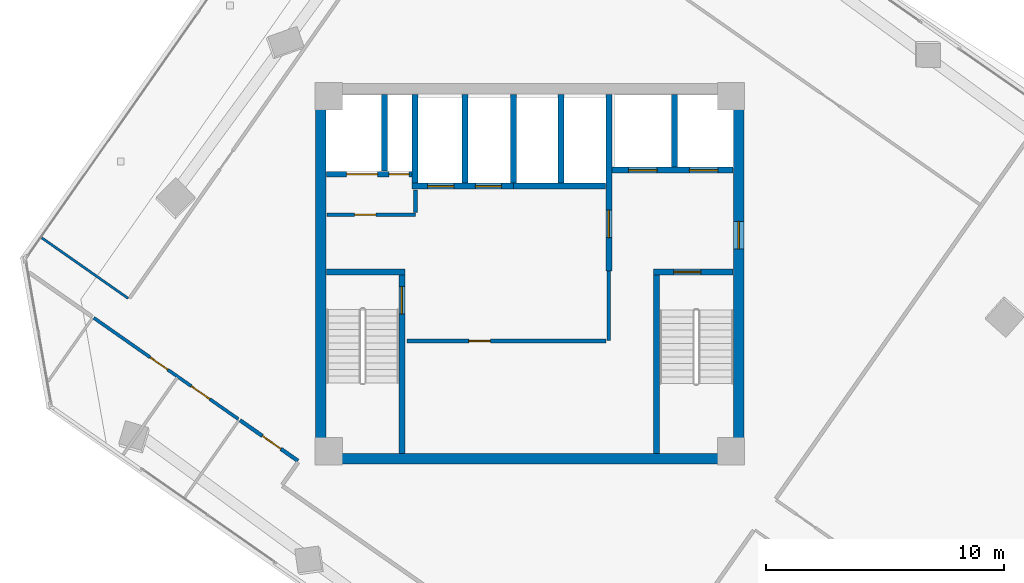
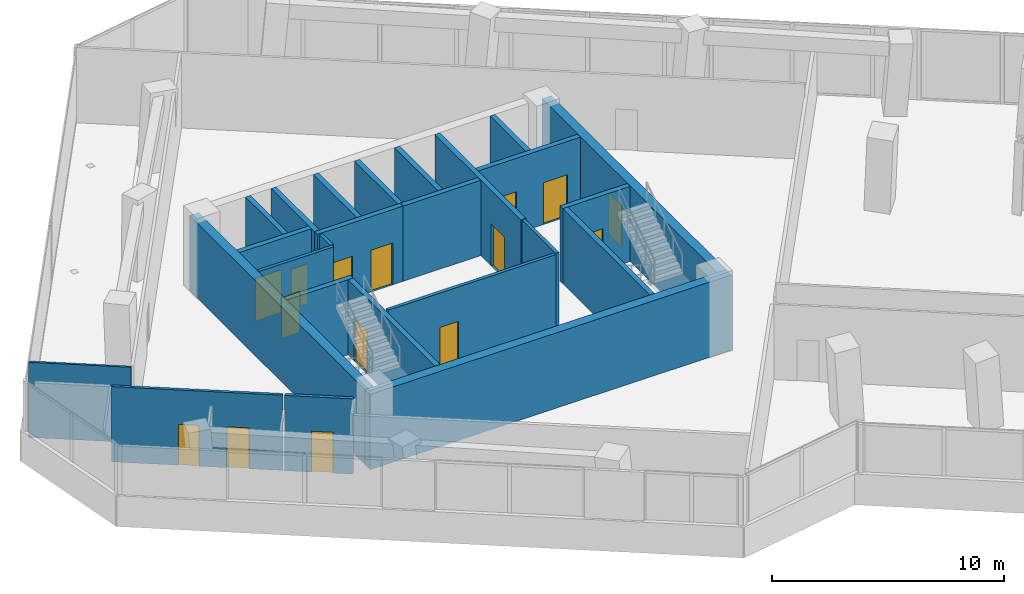
# One storey, part 18 of 22: 25 walls, 15 doors, 15 openings.
"""IFC4 building model written with IfcOpenShell, lengths in metres."""

from ifc_helpers import new_model, si_unit, direction, frame, frame_2d, origin, place, context, subcontext, project, spatial, rectangle, extrude, source, transform, mapped, material, layer, layer_set, type_object, element, fill, save


model = new_model("IFC4")

# Units and contexts
model_context = context("Model", 3, precision=1e-05, world=origin(), true_north=direction((0.0, 1.0)))
body_context = subcontext(model_context, "Body", "Model", "MODEL_VIEW")
ifc_project = project(units=[si_unit("LENGTHUNIT", "METRE"), si_unit("AREAUNIT", "SQUARE_METRE"), si_unit("VOLUMEUNIT", "CUBIC_METRE"), si_unit("PLANEANGLEUNIT", "RADIAN"), si_unit("MASSUNIT", "GRAM", prefix="KILO")], contexts=[model_context])

# Site, building, storey
site_placement = place(None, origin())
site = spatial("IfcSite", under=ifc_project, at=site_placement, CompositionType="ELEMENT")
building_placement = place(site_placement, origin())
building = spatial("IfcBuilding", under=site, at=building_placement, Name="Torre Montelarca", CompositionType="ELEMENT")
storey_placement = place(building_placement, frame((0.0, 0.0, 196.0)))
storey = spatial("IfcBuildingStorey", under=building, at=storey_placement, Name="L44", CompositionType="ELEMENT", Elevation=196.0)

# Wall, opening, door
ifc_material_1 = material(Name="Concrete C40/50", Category="concrete")
ifc_layer_1 = layer(ifc_material_1, 0.25, Name="Concrete C40/50", Category="concrete")
ifc_layer_set_1 = layer_set([ifc_layer_1], Name="Concrete C40/50")
wall_type_1 = type_object("IfcWallType", Name="CW-SHAFT-250", PredefinedType="SHEAR", material=ifc_layer_set_1)
wall_1_placement = place(storey_placement, frame((12.625, 24.4599609375, 0.0), z_axis=(0.0, 0.0, 1.0), x_axis=(0.0, 1.0, 0.0)))
wall_1 = element("IfcWall", 1, at=wall_1_placement, inside=storey, type_object=wall_type_1, Name="L44 Core Shear Wall SH-ST1-E", PredefinedType="SHEAR", context=body_context, shape_type="SweptSolid", body=[
    extrude(rectangle(XDim=7.489990234375, YDim=0.25, at=frame_2d((3.7451171875, 0.0))), origin(), (0.0, 0.0, 1.0), 3.9599609375),
])
opening_1_placement = place(wall_1_placement, frame((5.85009765625, 0.0, 0.0)))
opening_1 = element("IfcOpeningElement", 2, at=opening_1_placement, cuts=wall_1, Name="Opening FD-ST1", PredefinedType="OPENING", context=body_context, shape_type="SweptSolid", body=[
    extrude(rectangle(XDim=1.14990234375, YDim=2.199951171875, at=frame_2d((0.574951171875, 1.10009765625))), frame((0.0, 0.135009765625, 0.0), z_axis=(0.0, -1.0, 0.0), x_axis=(1.0, 0.0, 0.0)), (0.0, 0.0, 1.0), 0.27001953125),
])
ifc_material_2 = material(Name="Galvanized steel fire door", Category="steel")
door_type_1 = type_object("IfcDoorType", Name="DR-STAIR-115", OperationType="NOTDEFINED", PredefinedType="DOOR", material=ifc_material_2)
shared_shape_1 = source(origin(), body_context, "Body", "SweptSolid", [
    extrude(rectangle(XDim=1.14990234375, YDim=2.199951171875, at=frame_2d((0.574951171875, 1.10009765625))), frame((0.0, 0.02490234375, 0.0), z_axis=(0.0, -1.0, 0.0), x_axis=(1.0, 0.0, 0.0)), (0.0, 0.0, 1.0), 0.050048828125),
])
door_1_placement = place(opening_1_placement, origin())
door_1 = element("IfcDoor", 3, at=door_1_placement, inside=storey, type_object=door_type_1, Name="L44 Exit Stair ST1 Fire Door", OperationType="SINGLE_SWING_RIGHT", OverallHeight=2.199951171875, OverallWidth=1.14990234375, PredefinedType="DOOR", context=body_context, shape_type="MappedRepresentation", body=[
    mapped(shared_shape_1, transform((0.0, 0.0, 0.0), scale=1.0)),
])
fill(opening_1, door_1)

# Walls
wall_2_placement = place(storey_placement, frame((9.4599609375, 32.074951171875, 0.0), z_axis=(0.0, 0.0, 1.0), x_axis=(1.0, 0.0, 0.0)))
element("IfcWall", 4, at=wall_2_placement, inside=storey, type_object=wall_type_1, Name="L44 Core Shear Wall SH-ST1-N", PredefinedType="SHEAR", context=body_context, shape_type="SweptSolid", body=[
    extrude(rectangle(XDim=3.2900390625, YDim=0.25, at=frame_2d((1.64501953125, 0.0))), origin(), (0.0, 0.0, 1.0), 3.9599609375),
])
wall_3_placement = place(storey_placement, frame((23.31494140625, 24.4599609375, 0.0), z_axis=(0.0, 0.0, 1.0), x_axis=(0.0, 1.0, 0.0)))
element("IfcWall", 5, at=wall_3_placement, inside=storey, type_object=wall_type_1, Name="L44 Core Shear Wall SH-ST2-W", PredefinedType="SHEAR", context=body_context, shape_type="SweptSolid", body=[
    extrude(rectangle(XDim=7.489990234375, YDim=0.25, at=frame_2d((3.7451171875, 0.0))), origin(), (0.0, 0.0, 1.0), 3.9599609375),
])

# Wall, opening, door
wall_4_placement = place(storey_placement, frame((23.18994140625, 32.074951171875, 0.0), z_axis=(0.0, 0.0, 1.0), x_axis=(1.0, 0.0, 0.0)))
wall_4 = element("IfcWall", 6, at=wall_4_placement, inside=storey, type_object=wall_type_1, Name="L44 Core Shear Wall SH-ST2-N", PredefinedType="SHEAR", context=body_context, shape_type="SweptSolid", body=[
    extrude(rectangle(XDim=3.35009765625, YDim=0.25, at=frame_2d((1.675048828125, 0.0))), origin(), (0.0, 0.0, 1.0), 3.9599609375),
])
opening_2_placement = place(wall_4_placement, frame((0.85009765625, 0.0, 0.0)))
opening_2 = element("IfcOpeningElement", 7, at=opening_2_placement, cuts=wall_4, Name="Opening FD-ST1", PredefinedType="OPENING", context=body_context, shape_type="SweptSolid", body=[
    extrude(rectangle(XDim=1.14990234375, YDim=2.199951171875, at=frame_2d((0.574951171875, 1.10009765625))), frame((0.0, 0.135009765625, 0.0), z_axis=(0.0, -1.0, 0.0), x_axis=(1.0, 0.0, 0.0)), (0.0, 0.0, 1.0), 0.27001953125),
])
door_2_placement = place(opening_2_placement, origin())
door_2 = element("IfcDoor", 8, at=door_2_placement, inside=storey, type_object=door_type_1, Name="L44 Exit Stair ST2 Fire Door", OperationType="SINGLE_SWING_RIGHT", OverallHeight=2.199951171875, OverallWidth=1.14990234375, PredefinedType="DOOR", context=body_context, shape_type="MappedRepresentation", body=[
    mapped(shared_shape_1, transform((0.0, 0.0, 0.0), scale=1.0)),
])
fill(opening_2, door_2)

wall_5_placement = place(storey_placement, frame((21.320068359375, 32.1201171875, 0.0), z_axis=(0.0, 0.0, 1.0), x_axis=(0.0, 1.0, 0.0)))
wall_5 = element("IfcWall", 9, at=wall_5_placement, inside=storey, type_object=wall_type_1, Name="L44 Core Shear Wall SH-FFL-W", PredefinedType="SHEAR", context=body_context, shape_type="SweptSolid", body=[
    extrude(rectangle(XDim=7.419921875, YDim=0.25, at=frame_2d((3.7099609375, 0.0))), origin(), (0.0, 0.0, 1.0), 3.9599609375),
])
opening_3_placement = place(wall_5_placement, frame((1.39990234375, 0.0, 0.0)))
opening_3 = element("IfcOpeningElement", 10, at=opening_3_placement, cuts=wall_5, Name="Opening FD-LB1", PredefinedType="OPENING", context=body_context, shape_type="SweptSolid", body=[
    extrude(rectangle(XDim=1.14990234375, YDim=2.199951171875, at=frame_2d((0.574951171875, 1.10009765625))), frame((0.0, 0.135009765625, 0.0), z_axis=(0.0, -1.0, 0.0), x_axis=(1.0, 0.0, 0.0)), (0.0, 0.0, 1.0), 0.27001953125),
])
ifc_material_3 = material(Name="Acoustic timber-veneered fire door", Category="wood")
door_type_2 = type_object("IfcDoorType", Name="DR-LOBBY-115", OperationType="NOTDEFINED", PredefinedType="DOOR", material=ifc_material_3)
shared_shape_2 = source(origin(), body_context, "Body", "SweptSolid", [
    extrude(rectangle(XDim=1.14990234375, YDim=2.199951171875, at=frame_2d((0.574951171875, 1.10009765625))), frame((0.0, 0.02490234375, 0.0), z_axis=(0.0, -1.0, 0.0), x_axis=(1.0, 0.0, 0.0)), (0.0, 0.0, 1.0), 0.050048828125),
])
door_3_placement = place(opening_3_placement, origin())
door_3 = element("IfcDoor", 11, at=door_3_placement, inside=storey, type_object=door_type_2, Name="L44 Lift Lobby to Firefighting Lobby Smoke Door", OperationType="SINGLE_SWING_LEFT", OverallHeight=2.199951171875, OverallWidth=1.14990234375, PredefinedType="DOOR", context=body_context, shape_type="MappedRepresentation", body=[
    mapped(shared_shape_2, transform((0.0, 0.0, 0.0), scale=1.0)),
])
fill(opening_3, door_3)

# Wall, openings, doors
wall_6_placement = place(storey_placement, frame((9.4599609375, 36.179931640625, 0.0), z_axis=(0.0, 0.0, 1.0), x_axis=(1.0, 0.0, 0.0)))
wall_6 = element("IfcWall", 12, at=wall_6_placement, inside=storey, type_object=wall_type_1, Name="L44 Core Shear Wall SH-SV1-S", PredefinedType="SHEAR", context=body_context, shape_type="SweptSolid", body=[
    extrude(rectangle(XDim=3.7900390625, YDim=0.25, at=frame_2d((1.89501953125, 0.0))), origin(), (0.0, 0.0, 1.0), 3.9599609375),
])
opening_4_placement = place(wall_6_placement, frame((2.6201171875, 0.0, 0.0)))
opening_4 = element("IfcOpeningElement", 13, at=opening_4_placement, cuts=wall_6, Name="Opening FD-085", PredefinedType="OPENING", context=body_context, shape_type="SweptSolid", body=[
    extrude(rectangle(XDim=0.85009765625, YDim=2.10009765625, at=frame_2d((0.425048828125, 1.050048828125))), frame((0.0, 0.135009765625, 0.0), z_axis=(0.0, -1.0, 0.0), x_axis=(1.0, 0.0, 0.0)), (0.0, 0.0, 1.0), 0.27001953125),
])
opening_5_placement = place(wall_6_placement, frame((0.85009765625, 0.0, 0.0)))
opening_5 = element("IfcOpeningElement", 14, at=opening_5_placement, cuts=wall_6, Name="Opening LD-130", PredefinedType="OPENING", context=body_context, shape_type="SweptSolid", body=[
    extrude(rectangle(XDim=1.300048828125, YDim=2.25, at=frame_2d((0.64990234375, 1.125))), frame((0.0, 0.135009765625, 0.0), z_axis=(0.0, -1.0, 0.0), x_axis=(1.0, 0.0, 0.0)), (0.0, 0.0, 1.0), 0.27001953125),
])
ifc_material_4 = material(Name="Steel riser access fire door", Category="steel")
door_type_3 = type_object("IfcDoorType", Name="DR-RISER-085", OperationType="NOTDEFINED", PredefinedType="DOOR", material=ifc_material_4)
shared_shape_3 = source(origin(), body_context, "Body", "SweptSolid", [
    extrude(rectangle(XDim=0.85009765625, YDim=2.10009765625, at=frame_2d((0.425048828125, 1.050048828125))), frame((0.0, 0.02490234375, 0.0), z_axis=(0.0, -1.0, 0.0), x_axis=(1.0, 0.0, 0.0)), (0.0, 0.0, 1.0), 0.050048828125),
])
door_4_placement = place(opening_4_placement, origin())
door_4 = element("IfcDoor", 15, at=door_4_placement, inside=storey, type_object=door_type_3, Name="L44 Electrical Riser Shaft Access Door", OperationType="SINGLE_SWING_RIGHT", OverallHeight=2.10009765625, OverallWidth=0.85009765625, PredefinedType="DOOR", context=body_context, shape_type="MappedRepresentation", body=[
    mapped(shared_shape_3, transform((0.0, 0.0, 0.0), scale=1.0)),
])
fill(opening_4, door_4)
ifc_material_5 = material(Name="Brushed stainless steel AISI 316", Category="steel")
door_type_4 = type_object("IfcDoorType", Name="DR-LIFT-130", OperationType="SLIDING_TO_LEFT", PredefinedType="DOOR", material=ifc_material_5)
shared_shape_4 = source(origin(), body_context, "Body", "SweptSolid", [
    extrude(rectangle(XDim=1.300048828125, YDim=2.25, at=frame_2d((0.64990234375, 1.125))), frame((0.0, 0.02490234375, 0.0), z_axis=(0.0, -1.0, 0.0), x_axis=(1.0, 0.0, 0.0)), (0.0, 0.0, 1.0), 0.050048828125),
])
door_5_placement = place(opening_5_placement, origin())
door_5 = element("IfcDoor", 16, at=door_5_placement, inside=storey, type_object=door_type_4, Name="L44 Lift Landing Sliding Door SV-1", OperationType="SLIDING_TO_LEFT", OverallHeight=2.25, OverallWidth=1.300048828125, PredefinedType="DOOR", context=body_context, shape_type="MappedRepresentation", body=[
    mapped(shared_shape_4, transform((0.0, 0.0, 0.0), scale=1.0)),
])
fill(opening_5, door_5)

# Wall
wall_7_placement = place(storey_placement, frame((11.89990234375, 36.31005859375, 0.0), z_axis=(0.0, 0.0, 1.0), x_axis=(0.0, 1.0, 0.0)))
element("IfcWall", 17, at=wall_7_placement, inside=storey, type_object=wall_type_1, Name="L44 Core Shear Wall SH-SV1-E", PredefinedType="SHEAR", context=body_context, shape_type="SweptSolid", body=[
    extrude(rectangle(XDim=3.22998046875, YDim=0.25, at=frame_2d((1.614990234375, 0.0))), origin(), (0.0, 0.0, 1.0), 3.9599609375),
])

# Wall, openings, doors
wall_8_placement = place(storey_placement, frame((21.449951171875, 36.35009765625, 0.0), z_axis=(0.0, 0.0, 1.0), x_axis=(1.0, 0.0, 0.0)))
wall_8 = element("IfcWall", 18, at=wall_8_placement, inside=storey, type_object=wall_type_1, Name="L44 Core Shear Wall SH-FF-S", PredefinedType="SHEAR", context=body_context, shape_type="SweptSolid", body=[
    extrude(rectangle(XDim=5.090087890625, YDim=0.25, at=frame_2d((2.544921875, 0.0))), origin(), (0.0, 0.0, 1.0), 3.9599609375),
])
opening_6_placement = place(wall_8_placement, frame((0.699951171875, 0.0, 0.0)))
opening_6 = element("IfcOpeningElement", 19, at=opening_6_placement, cuts=wall_8, Name="Opening LD-120", PredefinedType="OPENING", context=body_context, shape_type="SweptSolid", body=[
    extrude(rectangle(XDim=1.199951171875, YDim=2.199951171875, at=frame_2d((0.60009765625, 1.10009765625))), frame((0.0, 0.135009765625, 0.0), z_axis=(0.0, -1.0, 0.0), x_axis=(1.0, 0.0, 0.0)), (0.0, 0.0, 1.0), 0.27001953125),
])
opening_7_placement = place(wall_8_placement, frame((3.25, 0.0, 0.0)))
opening_7 = element("IfcOpeningElement", 20, at=opening_7_placement, cuts=wall_8, Name="Opening LD-120", PredefinedType="OPENING", context=body_context, shape_type="SweptSolid", body=[
    extrude(rectangle(XDim=1.199951171875, YDim=2.199951171875, at=frame_2d((0.60009765625, 1.10009765625))), frame((0.0, 0.135009765625, 0.0), z_axis=(0.0, -1.0, 0.0), x_axis=(1.0, 0.0, 0.0)), (0.0, 0.0, 1.0), 0.27001953125),
])
door_type_5 = type_object("IfcDoorType", Name="DR-LIFT-120", OperationType="SLIDING_TO_RIGHT", PredefinedType="DOOR", material=ifc_material_5)
shared_shape_5 = source(origin(), body_context, "Body", "SweptSolid", [
    extrude(rectangle(XDim=1.199951171875, YDim=2.199951171875, at=frame_2d((0.60009765625, 1.10009765625))), frame((0.0, 0.02490234375, 0.0), z_axis=(0.0, -1.0, 0.0), x_axis=(1.0, 0.0, 0.0)), (0.0, 0.0, 1.0), 0.050048828125),
])
door_6_placement = place(opening_6_placement, origin())
door_6 = element("IfcDoor", 21, at=door_6_placement, inside=storey, type_object=door_type_5, Name="L44 Lift Landing Sliding Door FF-1", OperationType="SLIDING_TO_LEFT", OverallHeight=2.199951171875, OverallWidth=1.199951171875, PredefinedType="DOOR", context=body_context, shape_type="MappedRepresentation", body=[
    mapped(shared_shape_5, transform((0.0, 0.0, 0.0), scale=1.0)),
])
fill(opening_6, door_6)
door_7_placement = place(opening_7_placement, origin())
door_7 = element("IfcDoor", 22, at=door_7_placement, inside=storey, type_object=door_type_5, Name="L44 Lift Landing Sliding Door FF-2", OperationType="SLIDING_TO_RIGHT", OverallHeight=2.199951171875, OverallWidth=1.199951171875, PredefinedType="DOOR", context=body_context, shape_type="MappedRepresentation", body=[
    mapped(shared_shape_5, transform((0.0, 0.0, 0.0), scale=1.0)),
])
fill(opening_7, door_7)

# Wall
wall_9_placement = place(storey_placement, frame((24.080078125, 36.47998046875, 0.0), z_axis=(0.0, 0.0, 1.0), x_axis=(0.0, 1.0, 0.0)))
element("IfcWall", 23, at=wall_9_placement, inside=storey, type_object=wall_type_1, Name="L44 Core Shear Wall SH-FF-M", PredefinedType="SHEAR", context=body_context, shape_type="SweptSolid", body=[
    extrude(rectangle(XDim=3.06005859375, YDim=0.25, at=frame_2d((1.530029296875, 0.0))), origin(), (0.0, 0.0, 1.0), 3.9599609375),
])

# Wall, openings, doors
wall_10_placement = place(storey_placement, frame((13.06005859375, 35.679931640625, 0.0), z_axis=(0.0, 0.0, 1.0), x_axis=(1.0, 0.0, 0.0)))
wall_10 = element("IfcWall", 24, at=wall_10_placement, inside=storey, type_object=wall_type_1, Name="L44 Core Shear Wall SH-PLM-S", PredefinedType="SHEAR", context=body_context, shape_type="SweptSolid", body=[
    extrude(rectangle(XDim=4.25, YDim=0.25, at=frame_2d((2.125, 0.0))), origin(), (0.0, 0.0, 1.0), 3.9599609375),
])
opening_8_placement = place(wall_10_placement, frame((0.64990234375, 0.0, 0.0)))
opening_8 = element("IfcOpeningElement", 25, at=opening_8_placement, cuts=wall_10, Name="Opening LD-110", PredefinedType="OPENING", context=body_context, shape_type="SweptSolid", body=[
    extrude(rectangle(XDim=1.10009765625, YDim=2.199951171875, at=frame_2d((0.550048828125, 1.10009765625))), frame((0.0, 0.135009765625, 0.0), z_axis=(0.0, -1.0, 0.0), x_axis=(1.0, 0.0, 0.0)), (0.0, 0.0, 1.0), 0.27001953125),
])
opening_9_placement = place(wall_10_placement, frame((2.64990234375, 0.0, 0.0)))
opening_9 = element("IfcOpeningElement", 26, at=opening_9_placement, cuts=wall_10, Name="Opening LD-110", PredefinedType="OPENING", context=body_context, shape_type="SweptSolid", body=[
    extrude(rectangle(XDim=1.10009765625, YDim=2.199951171875, at=frame_2d((0.550048828125, 1.10009765625))), frame((0.0, 0.135009765625, 0.0), z_axis=(0.0, -1.0, 0.0), x_axis=(1.0, 0.0, 0.0)), (0.0, 0.0, 1.0), 0.27001953125),
])
door_type_6 = type_object("IfcDoorType", Name="DR-LIFT-110", OperationType="SLIDING_TO_LEFT", PredefinedType="DOOR", material=ifc_material_5)
shared_shape_6 = source(origin(), body_context, "Body", "SweptSolid", [
    extrude(rectangle(XDim=1.10009765625, YDim=2.199951171875, at=frame_2d((0.550048828125, 1.10009765625))), frame((0.0, 0.02490234375, 0.0), z_axis=(0.0, -1.0, 0.0), x_axis=(1.0, 0.0, 0.0)), (0.0, 0.0, 1.0), 0.050048828125),
])
door_8_placement = place(opening_8_placement, origin())
door_8 = element("IfcDoor", 27, at=door_8_placement, inside=storey, type_object=door_type_6, Name="L44 Lift Landing Sliding Door PL-M1", OperationType="SLIDING_TO_LEFT", OverallHeight=2.199951171875, OverallWidth=1.10009765625, PredefinedType="DOOR", context=body_context, shape_type="MappedRepresentation", body=[
    mapped(shared_shape_6, transform((0.0, 0.0, 0.0), scale=1.0)),
])
fill(opening_8, door_8)
door_9_placement = place(opening_9_placement, origin())
door_9 = element("IfcDoor", 28, at=door_9_placement, inside=storey, type_object=door_type_6, Name="L44 Lift Landing Sliding Door PL-M2", OperationType="SLIDING_TO_RIGHT", OverallHeight=2.199951171875, OverallWidth=1.10009765625, PredefinedType="DOOR", context=body_context, shape_type="MappedRepresentation", body=[
    mapped(shared_shape_6, transform((0.0, 0.0, 0.0), scale=1.0)),
])
fill(opening_9, door_9)

# Walls
for number, where, z_axis, x_axis, name in (
    (29, (13.179931640625, 35.81005859375, 0.0), (0.0, 0.0, 1.0), (0.0, 1.0, 0.0), "L44 Core Shear Wall SH-PLM-W"),
    (30, (15.280029296875, 35.81005859375, 0.0), (0.0, 0.0, 1.0), (0.0, 1.0, 0.0), "L44 Core Shear Wall SH-PLM-M"),
):
    element("IfcWall", number, at=place(storey_placement, frame(where, z_axis=z_axis, x_axis=x_axis)), inside=storey, type_object=wall_type_1, Name=name, PredefinedType="SHEAR", context=body_context, shape_type="SweptSolid", body=[
        extrude(rectangle(XDim=3.72998046875, YDim=0.25, at=frame_2d((1.864990234375, 0.0))), origin(), (0.0, 0.0, 1.0), 3.9599609375),
    ])
wall_11_placement = place(storey_placement, frame((17.320068359375, 35.679931640625, 0.0), z_axis=(0.0, 0.0, 1.0), x_axis=(1.0, 0.0, 0.0)))
element("IfcWall", 31, at=wall_11_placement, inside=storey, type_object=wall_type_1, Name="L44 Core Shear Wall SH-PLH-S", PredefinedType="SHEAR", context=body_context, shape_type="SweptSolid", body=[
    extrude(rectangle(XDim=3.869873046875, YDim=0.25, at=frame_2d((1.93505859375, 0.0))), origin(), (0.0, 0.0, 1.0), 3.9599609375),
])
for number, where, z_axis, x_axis, name in (
    (32, (17.320068359375, 35.81005859375, 0.0), (0.0, 0.0, 1.0), (0.0, 1.0, 0.0), "L44 Core Shear Wall SH-PLH-W"),
    (33, (19.320068359375, 35.81005859375, 0.0), (0.0, 0.0, 1.0), (0.0, 1.0, 0.0), "L44 Core Shear Wall SH-PLH-M"),
):
    element("IfcWall", number, at=place(storey_placement, frame(where, z_axis=z_axis, x_axis=x_axis)), inside=storey, type_object=wall_type_1, Name=name, PredefinedType="SHEAR", context=body_context, shape_type="SweptSolid", body=[
        extrude(rectangle(XDim=3.72998046875, YDim=0.25, at=frame_2d((1.864990234375, 0.0))), origin(), (0.0, 0.0, 1.0), 3.9599609375),
    ])
ifc_material_6 = material(Name="Concrete C55/67", Category="concrete")
ifc_layer_2 = layer(ifc_material_6, 0.449951171875, Name="Concrete C55/67", Category="concrete")
ifc_layer_set_2 = layer_set([ifc_layer_2], Name="Concrete C55/67")
wall_type_2 = type_object("IfcWallType", Name="CW-SHEAR-450", PredefinedType="SHEAR", material=ifc_layer_set_2)
wall_12_placement = place(storey_placement, frame((9.22509765625, 24.449951171875, 0.0), z_axis=(0.0, 0.0, 1.0), x_axis=(0.0, 1.0, 0.0)))
element("IfcWall", 34, at=wall_12_placement, inside=storey, type_object=wall_type_2, Name="L44 Core Shear Wall CW-W", PredefinedType="SHEAR", context=body_context, shape_type="SweptSolid", body=[
    extrude(rectangle(XDim=15.10009765625, YDim=0.449951171875, at=frame_2d((7.550048828125, 0.0))), origin(), (0.0, 0.0, 1.0), 3.9599609375),
])

# Wall, opening, door
wall_13_placement = place(storey_placement, frame((26.77490234375, 24.449951171875, 0.0), z_axis=(0.0, 0.0, 1.0), x_axis=(0.0, 1.0, 0.0)))
wall_13 = element("IfcWall", 35, at=wall_13_placement, inside=storey, type_object=wall_type_2, Name="L44 Core Shear Wall CW-E", PredefinedType="SHEAR", context=body_context, shape_type="SweptSolid", body=[
    extrude(rectangle(XDim=15.10009765625, YDim=0.449951171875, at=frame_2d((7.550048828125, 0.0))), origin(), (0.0, 0.0, 1.0), 3.9599609375),
])
opening_10_placement = place(wall_13_placement, frame((8.60009765625, 0.0, 0.0)))
opening_10 = element("IfcOpeningElement", 36, at=opening_10_placement, cuts=wall_13, Name="Opening FD-LB1", PredefinedType="OPENING", context=body_context, shape_type="SweptSolid", body=[
    extrude(rectangle(XDim=1.14990234375, YDim=2.199951171875, at=frame_2d((0.574951171875, 1.10009765625))), frame((0.0, 0.23486328125, 0.0), z_axis=(0.0, -1.0, 0.0), x_axis=(1.0, 0.0, 0.0)), (0.0, 0.0, 1.0), 0.469970703125),
])
door_10_placement = place(opening_10_placement, origin())
door_10 = element("IfcDoor", 37, at=door_10_placement, inside=storey, type_object=door_type_2, Name="L44 Firefighting Lift Lobby Corridor Fire Door", OperationType="SINGLE_SWING_RIGHT", OverallHeight=2.199951171875, OverallWidth=1.14990234375, PredefinedType="DOOR", context=body_context, shape_type="MappedRepresentation", body=[
    mapped(shared_shape_2, transform((0.0, 0.0, 0.0), scale=1.0)),
])
fill(opening_10, door_10)

# Wall
wall_14_placement = place(storey_placement, frame((9.0, 24.22509765625, 0.0), z_axis=(0.0, 0.0, 1.0), x_axis=(1.0, 0.0, 0.0)))
element("IfcWall", 38, at=wall_14_placement, inside=storey, type_object=wall_type_2, Name="L44 Core Shear Wall CW-S1", PredefinedType="SHEAR", context=body_context, shape_type="SweptSolid", body=[
    extrude(rectangle(XDim=18.0, YDim=0.449951171875, at=frame_2d((9.0, 0.0))), origin(), (0.0, 0.0, 1.0), 3.9599609375),
])

# Wall, opening, door
ifc_material_7 = material(Name="Gypsum plasterboard on steel stud", Category="steel")
ifc_layer_3 = layer(ifc_material_7, 0.159912109375, Name="Gypsum plasterboard on steel stud", Category="steel")
ifc_layer_set_3 = layer_set([ifc_layer_3], Name="Gypsum plasterboard on steel stud")
wall_type_3 = type_object("IfcWallType", Name="PW-FIRE-160", PredefinedType="PARTITIONING", material=ifc_layer_set_3)
wall_15_placement = place(storey_placement, frame((9.489990234375, 34.47998046875, 0.0), z_axis=(0.0, 0.0, 1.0), x_axis=(1.0, 0.0, 0.0)))
wall_15 = element("IfcWall", 39, at=wall_15_placement, inside=storey, type_object=wall_type_3, Name="L44 Interior Partition CW-L44-SVS", PredefinedType="PARTITIONING", context=body_context, shape_type="SweptSolid", body=[
    extrude(rectangle(XDim=3.699951171875, YDim=0.159912109375, at=frame_2d((1.85009765625, 0.0))), origin(), (0.0, 0.0, 1.0), 3.9599609375),
])
opening_11_placement = place(wall_15_placement, frame((1.14990234375, 0.0, 0.0)))
opening_11 = element("IfcOpeningElement", 40, at=opening_11_placement, cuts=wall_15, Name="Opening FD-090", PredefinedType="OPENING", context=body_context, shape_type="SweptSolid", body=[
    extrude(rectangle(XDim=0.89990234375, YDim=2.14990234375, at=frame_2d((0.449951171875, 1.074951171875))), frame((0.0, 0.08984375, 0.0), z_axis=(0.0, -1.0, 0.0), x_axis=(1.0, 0.0, 0.0)), (0.0, 0.0, 1.0), 0.179931640625),
])
ifc_material_8 = material(Name="Steel service fire door", Category="steel")
door_type_7 = type_object("IfcDoorType", Name="DR-FIRE-090", OperationType="NOTDEFINED", PredefinedType="DOOR", material=ifc_material_8)
shared_shape_7 = source(origin(), body_context, "Body", "SweptSolid", [
    extrude(rectangle(XDim=0.89990234375, YDim=2.14990234375, at=frame_2d((0.449951171875, 1.074951171875))), frame((0.0, 0.02490234375, 0.0), z_axis=(0.0, -1.0, 0.0), x_axis=(1.0, 0.0, 0.0)), (0.0, 0.0, 1.0), 0.050048828125),
])
door_11_placement = place(opening_11_placement, origin())
door_11 = element("IfcDoor", 41, at=door_11_placement, inside=storey, type_object=door_type_7, Name="L44 Interior Door 01", OperationType="SINGLE_SWING_RIGHT", OverallHeight=2.14990234375, OverallWidth=0.89990234375, PredefinedType="DOOR", context=body_context, shape_type="MappedRepresentation", body=[
    mapped(shared_shape_7, transform((0.0, 0.0, 0.0), scale=1.0)),
])
fill(opening_11, door_11)

# Wall
wall_16_placement = place(storey_placement, frame((13.199951171875, 34.570068359375, 0.0), z_axis=(0.0, 0.0, 1.0), x_axis=(0.0, 1.0, 0.0)))
element("IfcWall", 42, at=wall_16_placement, inside=storey, type_object=wall_type_3, Name="L44 Interior Partition CW-L44-SVE", PredefinedType="PARTITIONING", context=body_context, shape_type="SweptSolid", body=[
    extrude(rectangle(XDim=0.93994140625, YDim=0.159912109375, at=frame_2d((0.469970703125, 0.0))), origin(), (0.0, 0.0, 1.0), 3.9599609375),
])

# Wall, opening, door
wall_17_placement = place(storey_placement, frame((12.840087890625, 29.179931640625, 0.0), z_axis=(0.0, 0.0, 1.0), x_axis=(1.0, 0.0, 0.0)))
wall_17 = element("IfcWall", 43, at=wall_17_placement, inside=storey, type_object=wall_type_3, Name="L44 Interior Partition CW-L44-FRDN", PredefinedType="PARTITIONING", context=body_context, shape_type="SweptSolid", body=[
    extrude(rectangle(XDim=8.369873046875, YDim=0.159912109375, at=frame_2d((4.18505859375, 0.0))), origin(), (0.0, 0.0, 1.0), 3.9599609375),
])
opening_12_placement = place(wall_17_placement, frame((2.60009765625, 0.0, 0.0)))
opening_12 = element("IfcOpeningElement", 44, at=opening_12_placement, cuts=wall_17, Name="Opening FD-090", PredefinedType="OPENING", context=body_context, shape_type="SweptSolid", body=[
    extrude(rectangle(XDim=0.89990234375, YDim=2.14990234375, at=frame_2d((0.449951171875, 1.074951171875))), frame((0.0, 0.08984375, 0.0), z_axis=(0.0, -1.0, 0.0), x_axis=(1.0, 0.0, 0.0)), (0.0, 0.0, 1.0), 0.179931640625),
])
door_12_placement = place(opening_12_placement, origin())
door_12 = element("IfcDoor", 45, at=door_12_placement, inside=storey, type_object=door_type_7, Name="L44 Interior Door 02", OperationType="SINGLE_SWING_LEFT", OverallHeight=2.14990234375, OverallWidth=0.89990234375, PredefinedType="DOOR", context=body_context, shape_type="MappedRepresentation", body=[
    mapped(shared_shape_7, transform((0.0, 0.0, 0.0), scale=1.0)),
])
fill(opening_12, door_12)

# Wall
wall_18_placement = place(storey_placement, frame((21.320068359375, 29.18994140625, 0.0), z_axis=(0.0, 0.0, 1.0), x_axis=(0.0, 1.0, 0.0)))
element("IfcWall", 46, at=wall_18_placement, inside=storey, type_object=wall_type_3, Name="L44 Interior Partition CW-L44-FRE", PredefinedType="PARTITIONING", context=body_context, shape_type="SweptSolid", body=[
    extrude(rectangle(XDim=2.920166015625, YDim=0.159912109375, at=frame_2d((1.4599609375, 0.0))), origin(), (0.0, 0.0, 1.0), 3.9599609375),
])

# Wall, opening, door
wall_19_placement = place(storey_placement, frame((5.826416015625, 25.847412109375, 0.0), z_axis=(0.0, 0.0, 1.0), x_axis=(0.819135363828, -0.573600257781, 0.0)))
wall_19 = element("IfcWall", 47, at=wall_19_placement, inside=storey, type_object=wall_type_3, Name="L44 Interior Partition W-L44-SOCCN", PredefinedType="PARTITIONING", context=body_context, shape_type="SweptSolid", body=[
    extrude(rectangle(XDim=2.969970703125, YDim=0.159912109375, at=frame_2d((1.48486328125, 0.0))), origin(), (0.0, 0.0, 1.0), 3.9599609375),
])
opening_13_placement = place(wall_19_placement, frame((1.14990234375, 0.0, 0.0)))
opening_13 = element("IfcOpeningElement", 48, at=opening_13_placement, cuts=wall_19, Name="Opening FD-095", PredefinedType="OPENING", context=body_context, shape_type="SweptSolid", body=[
    extrude(rectangle(XDim=0.949951171875, YDim=2.14990234375, at=frame_2d((0.47509765625, 1.074951171875))), frame((0.0, 0.08984375, 0.0), z_axis=(0.0, -1.0, 0.0), x_axis=(1.0, 0.0, 0.0)), (0.0, 0.0, 1.0), 0.179931640625),
])
ifc_material_9 = material(Name="Timber fire-rated room door", Category="wood")
door_type_8 = type_object("IfcDoorType", Name="DR-FIRE-095", OperationType="NOTDEFINED", PredefinedType="DOOR", material=ifc_material_9)
shared_shape_8 = source(origin(), body_context, "Body", "SweptSolid", [
    extrude(rectangle(XDim=0.949951171875, YDim=2.14990234375, at=frame_2d((0.47509765625, 1.074951171875))), frame((0.0, 0.02490234375, 0.0), z_axis=(0.0, -1.0, 0.0), x_axis=(1.0, 0.0, 0.0)), (0.0, 0.0, 1.0), 0.050048828125),
])
door_13_placement = place(opening_13_placement, origin())
door_13 = element("IfcDoor", 49, at=door_13_placement, inside=storey, type_object=door_type_8, Name="L44 Interior Door 05", OperationType="SINGLE_SWING_RIGHT", OverallHeight=2.14990234375, OverallWidth=0.949951171875, PredefinedType="DOOR", context=body_context, shape_type="MappedRepresentation", body=[
    mapped(shared_shape_8, transform((0.0, 0.0, 0.0), scale=1.0)),
])
fill(opening_13, door_13)

# Wall
ifc_material_10 = material(Name="Acoustic laminated glass partition", Category="glass")
ifc_layer_4 = layer(ifc_material_10, 0.10009765625, Name="Acoustic laminated glass partition", Category="glass")
ifc_layer_set_4 = layer_set([ifc_layer_4], Name="Acoustic laminated glass partition")
wall_type_4 = type_object("IfcWallType", Name="PW-GLAZ-100", PredefinedType="PARTITIONING", material=ifc_layer_set_4)
wall_20_placement = place(storey_placement, frame((-2.495849609375, 33.505859375, 0.0), z_axis=(0.0, 0.0, 1.0), x_axis=(0.819130930641, -0.573606588584, 0.0)))
element("IfcWall", 50, at=wall_20_placement, inside=storey, type_object=wall_type_4, Name="L44 Interior Partition W-L44-WWGS", PredefinedType="PARTITIONING", context=body_context, shape_type="SweptSolid", body=[
    extrude(rectangle(XDim=4.429931640625, YDim=0.10009765625, at=frame_2d((2.21484375, 0.0))), origin(), (0.0, 0.0, 1.0), 3.9599609375),
])

# Wall, openings, doors
ifc_layer_5 = layer(ifc_material_7, 0.135009765625, Name="Gypsum plasterboard on steel stud", Category="steel")
ifc_layer_set_5 = layer_set([ifc_layer_5], Name="Gypsum plasterboard on steel stud")
wall_type_5 = type_object("IfcWallType", Name="PW-PART-135", PredefinedType="PARTITIONING", material=ifc_layer_set_5)
wall_21_placement = place(storey_placement, frame((-0.317138671875, 30.149169921875, 0.0), z_axis=(0.0, 0.0, 1.0), x_axis=(0.819142256539, -0.573590414454, 0.0)))
wall_21 = element("IfcWall", 51, at=wall_21_placement, inside=storey, type_object=wall_type_5, Name="L44 Interior Partition W-L44-WCN", PredefinedType="PARTITIONING", context=body_context, shape_type="SweptSolid", body=[
    extrude(rectangle(XDim=7.420166015625, YDim=0.135009765625, at=frame_2d((3.7099609375, 0.0))), origin(), (0.0, 0.0, 1.0), 3.9599609375),
])
opening_14_placement = place(wall_21_placement, frame((2.89990234375, 0.0, 0.0)))
opening_14 = element("IfcOpeningElement", 52, at=opening_14_placement, cuts=wall_21, Name="Opening ID-090", PredefinedType="OPENING", context=body_context, shape_type="SweptSolid", body=[
    extrude(rectangle(XDim=0.89990234375, YDim=2.14990234375, at=frame_2d((0.449951171875, 1.074951171875))), frame((0.0, 0.07763671875, 0.0), z_axis=(0.0, -1.0, 0.0), x_axis=(1.0, 0.0, 0.0)), (0.0, 0.0, 1.0), 0.155029296875),
])
opening_15_placement = place(wall_21_placement, frame((5.0, 0.0, 0.0)))
opening_15 = element("IfcOpeningElement", 53, at=opening_15_placement, cuts=wall_21, Name="Opening ID-095", PredefinedType="OPENING", context=body_context, shape_type="SweptSolid", body=[
    extrude(rectangle(XDim=0.949951171875, YDim=2.14990234375, at=frame_2d((0.47509765625, 1.074951171875))), frame((0.0, 0.07763671875, 0.0), z_axis=(0.0, -1.0, 0.0), x_axis=(1.0, 0.0, 0.0)), (0.0, 0.0, 1.0), 0.155029296875),
])
ifc_material_11 = material(Name="Hardwood acoustic timber veneer", Category="wood")
door_type_9 = type_object("IfcDoorType", Name="DR-INT-090", OperationType="NOTDEFINED", PredefinedType="DOOR", material=ifc_material_11)
shared_shape_9 = source(origin(), body_context, "Body", "SweptSolid", [
    extrude(rectangle(XDim=0.89990234375, YDim=2.14990234375, at=frame_2d((0.449951171875, 1.074951171875))), frame((0.0, 0.02490234375, 0.0), z_axis=(0.0, -1.0, 0.0), x_axis=(1.0, 0.0, 0.0)), (0.0, 0.0, 1.0), 0.050048828125),
])
door_14_placement = place(opening_14_placement, origin())
door_14 = element("IfcDoor", 54, at=door_14_placement, inside=storey, type_object=door_type_9, Name="L44 Interior Door 03", OperationType="SINGLE_SWING_LEFT", OverallHeight=2.14990234375, OverallWidth=0.89990234375, PredefinedType="DOOR", context=body_context, shape_type="MappedRepresentation", body=[
    mapped(shared_shape_9, transform((0.0, 0.0, 0.0), scale=1.0)),
])
fill(opening_14, door_14)
door_type_10 = type_object("IfcDoorType", Name="DR-INT-095", OperationType="NOTDEFINED", PredefinedType="DOOR", material=ifc_material_11)
shared_shape_10 = source(origin(), body_context, "Body", "SweptSolid", [
    extrude(rectangle(XDim=0.949951171875, YDim=2.14990234375, at=frame_2d((0.47509765625, 1.074951171875))), frame((0.0, 0.02490234375, 0.0), z_axis=(0.0, -1.0, 0.0), x_axis=(1.0, 0.0, 0.0)), (0.0, 0.0, 1.0), 0.050048828125),
])
door_15_placement = place(opening_15_placement, origin())
door_15 = element("IfcDoor", 55, at=door_15_placement, inside=storey, type_object=door_type_10, Name="L44 Interior Door 04", OperationType="SINGLE_SWING_RIGHT", OverallHeight=2.14990234375, OverallWidth=0.949951171875, PredefinedType="DOOR", context=body_context, shape_type="MappedRepresentation", body=[
    mapped(shared_shape_10, transform((0.0, 0.0, 0.0), scale=1.0)),
])
fill(opening_15, door_15)

save(model, "model.ifc")
